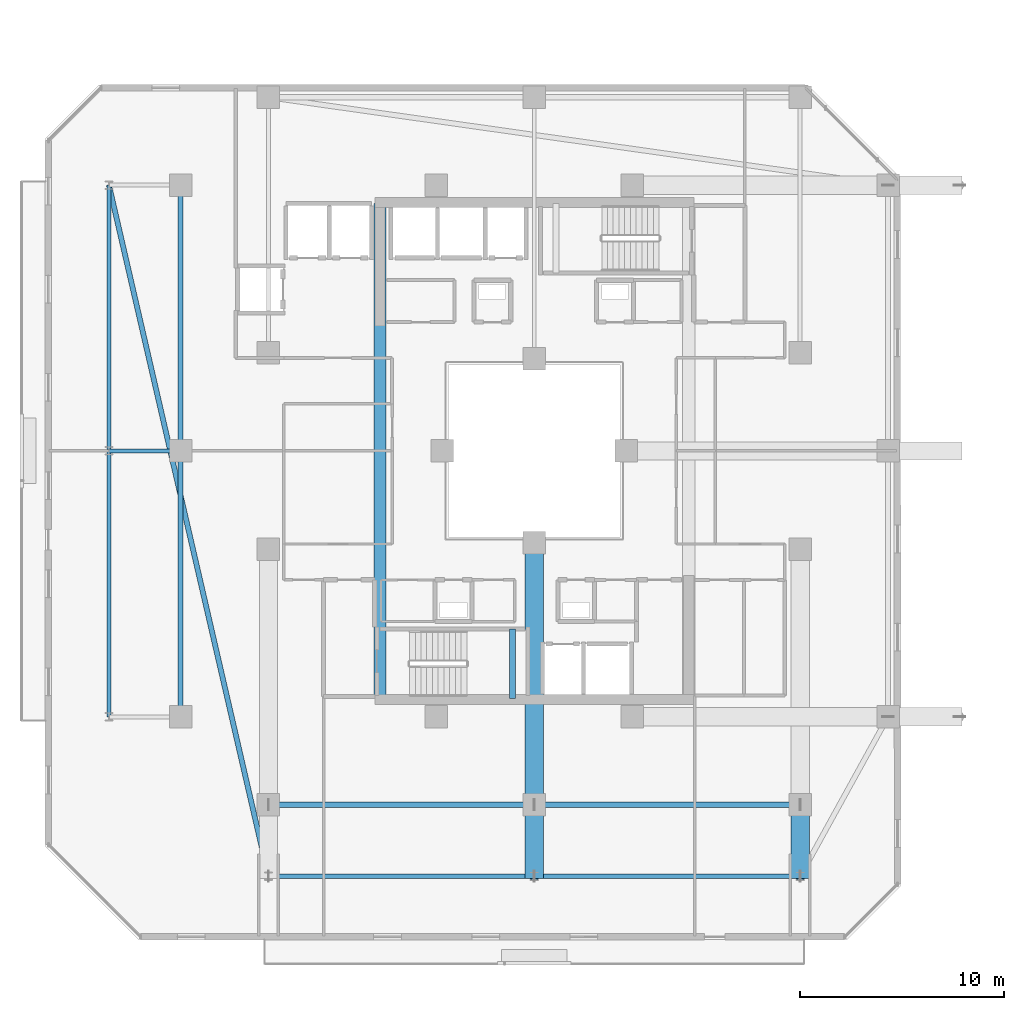
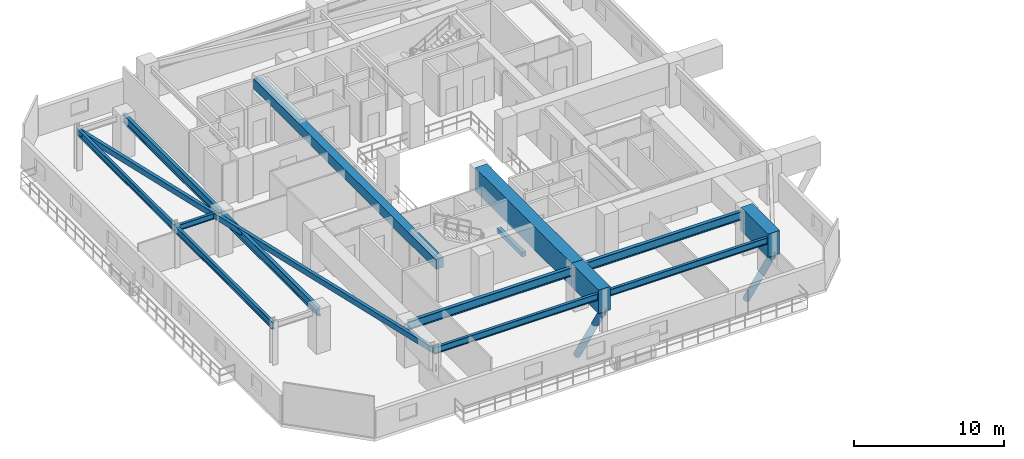
# One storey, part 4 of 35: 15 beams, 2 members.
"""IFC4 building model written with IfcOpenShell, lengths in metres."""

from ifc_helpers import new_model, si_unit, direction, frame, origin, origin_2d, place, context, subcontext, project, spatial, rectangle, hollow_rectangle, hollow_circle, i_section, extrude, material, material_profile, profile_set, type_object, element, save


model = new_model("IFC4")

# Units and contexts
model_context = context("Model", 3, precision=1e-05, world=origin(), true_north=direction((0.0, 1.0)))
body_context = subcontext(model_context, "Body", "Model", "MODEL_VIEW")
ifc_project = project(units=[si_unit("LENGTHUNIT", "METRE"), si_unit("AREAUNIT", "SQUARE_METRE"), si_unit("VOLUMEUNIT", "CUBIC_METRE"), si_unit("PLANEANGLEUNIT", "RADIAN"), si_unit("MASSUNIT", "GRAM", prefix="KILO")], contexts=[model_context])

# Site, building, storey
site_placement = place(None, origin())
site = spatial("IfcSite", under=ifc_project, at=site_placement, CompositionType="ELEMENT")
building_placement = place(site_placement, origin())
building = spatial("IfcBuilding", under=site, at=building_placement, Name="Thornwick Lancets Civic Towers", CompositionType="ELEMENT")
storey_placement = place(building_placement, frame((0.0, 0.0, 145.5)))
storey = spatial("IfcBuildingStorey", under=building, at=storey_placement, Name="L38", CompositionType="ELEMENT", Elevation=145.5)

# Beams
ifc_material_1 = material(Name="Concrete C60/75", Category="concrete")
ifc_material_profile_1 = material_profile(ifc_material_1, rectangle(XDim=0.60009765625, YDim=0.800048828125, at=origin_2d()), Name="RC 600x800")
ifc_profile_set_1 = profile_set([ifc_material_profile_1], Name="Concrete C60/75")
beam_type_1 = type_object("IfcBeamType", Name="BM_COUP_RC800", PredefinedType="BEAM", material=ifc_profile_set_1)
beam_1_placement = place(storey_placement, frame((17.949951171875, 14.89990234375, 2.919921875), z_axis=(0.0, 1.0, 0.0), x_axis=(-1.0, 0.0, 0.0)))
element("IfcBeam", 1, at=beam_1_placement, inside=storey, type_object=beam_type_1, Name="CB-L38-A2", PredefinedType="BEAM", context=body_context, shape_type="SweptSolid", body=[
    extrude(rectangle(XDim=0.60009765625, YDim=0.800048828125, at=origin_2d()), origin(), (0.0, 0.0, 1.0), 24.2001953125),
])
ifc_material_2 = material(Name="Steel S355JR", Category="steel")
ifc_material_profile_2 = material_profile(ifc_material_2, i_section(OverallWidth=0.210693359375, OverallDepth=0.53955078125, WebThickness=0.01171875, FlangeThickness=0.018798828125, FilletRadius=0.0126953125, at=origin_2d()), Name="UKB 533x210x109")
ifc_profile_set_2 = profile_set([ifc_material_profile_2], Name="Steel S355JR")
beam_type_2 = type_object("IfcBeamType", Name="BM_EDGE_533_109", PredefinedType="SPANDREL", material=ifc_profile_set_2)
beam_2_placement = place(storey_placement, frame((12.5, 6.199951171875, 3.05029296875), z_axis=(1.0, 0.0, 0.0), x_axis=(0.0, 1.0, 0.0)))
element("IfcBeam", 2, at=beam_2_placement, inside=storey, type_object=beam_type_2, Name="BM-EDGE-L38-A-S0-1", PredefinedType="SPANDREL", context=body_context, shape_type="SweptSolid", body=[
    extrude(i_section(OverallWidth=0.210693359375, OverallDepth=0.53955078125, WebThickness=0.01171875, FlangeThickness=0.018798828125, FilletRadius=0.0126953125, at=origin_2d()), origin(), (0.0, 0.0, 1.0), 13.0),
])
beam_3_placement = place(storey_placement, frame((25.580078125, 6.199951171875, 3.05029296875), z_axis=(1.0, 0.0, 0.0), x_axis=(0.0, 1.0, 0.0)))
element("IfcBeam", 3, at=beam_3_placement, inside=storey, type_object=beam_type_2, Name="BM-EDGE-L38-A-S0-2", PredefinedType="SPANDREL", context=body_context, shape_type="SweptSolid", body=[
    extrude(i_section(OverallWidth=0.210693359375, OverallDepth=0.53955078125, WebThickness=0.01171875, FlangeThickness=0.018798828125, FilletRadius=0.0126953125, at=origin_2d()), origin(), (0.0, 0.0, 1.0), 12.919921875),
])
beam_4_placement = place(storey_placement, frame((4.699951171875, 14.0, 3.05029296875), z_axis=(0.0, 1.0, 0.0), x_axis=(-1.0, 0.0, 0.0)))
element("IfcBeam", 4, at=beam_4_placement, inside=storey, type_object=beam_type_2, Name="BM-EDGE-L38-A-S3-1", PredefinedType="SPANDREL", context=body_context, shape_type="SweptSolid", body=[
    extrude(i_section(OverallWidth=0.210693359375, OverallDepth=0.53955078125, WebThickness=0.01171875, FlangeThickness=0.018798828125, FilletRadius=0.0126953125, at=origin_2d()), origin(), (0.0, 0.0, 1.0), 13.0),
])
beam_5_placement = place(storey_placement, frame((4.699951171875, 27.080078125, 3.05029296875), z_axis=(0.0, 1.0, 0.0), x_axis=(-1.0, 0.0, 0.0)))
element("IfcBeam", 5, at=beam_5_placement, inside=storey, type_object=beam_type_2, Name="BM-EDGE-L38-A-S3-2", PredefinedType="SPANDREL", context=body_context, shape_type="SweptSolid", body=[
    extrude(i_section(OverallWidth=0.210693359375, OverallDepth=0.53955078125, WebThickness=0.01171875, FlangeThickness=0.018798828125, FilletRadius=0.0126953125, at=origin_2d()), origin(), (0.0, 0.0, 1.0), 12.919921875),
])
ifc_material_profile_3 = material_profile(ifc_material_2, i_section(OverallWidth=0.255859375, OverallDepth=0.69287109375, WebThickness=0.014404296875, FlangeThickness=0.023681640625, FilletRadius=0.01513671875, at=origin_2d()), Name="UKB 686x254x170")
ifc_profile_set_3 = profile_set([ifc_material_profile_3], Name="Steel S355JR")
beam_type_3 = type_object("IfcBeamType", Name="BM_GIRD_686_170", PredefinedType="BEAM", material=ifc_profile_set_3)
beam_6_placement = place(storey_placement, frame((12.5, 9.699951171875, 2.973388671875), z_axis=(1.0, 0.0, 0.0), x_axis=(0.0, 1.0, 0.0)))
element("IfcBeam", 6, at=beam_6_placement, inside=storey, type_object=beam_type_3, Name="BM-SPINE-L38-A-0-1", PredefinedType="BEAM", context=body_context, shape_type="SweptSolid", body=[
    extrude(i_section(OverallWidth=0.255859375, OverallDepth=0.69287109375, WebThickness=0.014404296875, FlangeThickness=0.023681640625, FilletRadius=0.01513671875, at=origin_2d()), origin(), (0.0, 0.0, 1.0), 13.0),
])
beam_7_placement = place(storey_placement, frame((25.580078125, 9.699951171875, 2.973388671875), z_axis=(1.0, 0.0, 0.0), x_axis=(0.0, 1.0, 0.0)))
element("IfcBeam", 7, at=beam_7_placement, inside=storey, type_object=beam_type_3, Name="BM-SPINE-L38-A-1-2", PredefinedType="BEAM", context=body_context, shape_type="SweptSolid", body=[
    extrude(i_section(OverallWidth=0.255859375, OverallDepth=0.69287109375, WebThickness=0.014404296875, FlangeThickness=0.023681640625, FilletRadius=0.01513671875, at=origin_2d()), origin(), (0.0, 0.0, 1.0), 12.919921875),
])
beam_8_placement = place(storey_placement, frame((8.199951171875, 14.0, 2.973388671875), z_axis=(0.0, 1.0, 0.0), x_axis=(-1.0, 0.0, 0.0)))
element("IfcBeam", 8, at=beam_8_placement, inside=storey, type_object=beam_type_3, Name="BM-SPINE-L38-A-9-10", PredefinedType="BEAM", context=body_context, shape_type="SweptSolid", body=[
    extrude(i_section(OverallWidth=0.255859375, OverallDepth=0.69287109375, WebThickness=0.014404296875, FlangeThickness=0.023681640625, FilletRadius=0.01513671875, at=origin_2d()), origin(), (0.0, 0.0, 1.0), 13.0),
])
beam_9_placement = place(storey_placement, frame((8.199951171875, 27.080078125, 2.973388671875), z_axis=(0.0, 1.0, 0.0), x_axis=(-1.0, 0.0, 0.0)))
element("IfcBeam", 9, at=beam_9_placement, inside=storey, type_object=beam_type_3, Name="BM-SPINE-L38-A-10-11", PredefinedType="BEAM", context=body_context, shape_type="SweptSolid", body=[
    extrude(i_section(OverallWidth=0.255859375, OverallDepth=0.69287109375, WebThickness=0.014404296875, FlangeThickness=0.023681640625, FilletRadius=0.01513671875, at=origin_2d()), origin(), (0.0, 0.0, 1.0), 12.919921875),
])
ifc_material_profile_4 = material_profile(ifc_material_2, i_section(OverallWidth=0.19189453125, OverallDepth=0.46337890625, WebThickness=0.010498046875, FlangeThickness=0.017578125, FilletRadius=0.01025390625, at=origin_2d()), Name="UKB 457x191x89")
ifc_profile_set_4 = profile_set([ifc_material_profile_4], Name="Steel S355JR")
beam_type_4 = type_object("IfcBeamType", Name="BM_JOIST_457_89", PredefinedType="JOIST", material=ifc_profile_set_4)
beam_10_placement = place(storey_placement, frame((8.199951171875, 27.0, 3.08837890625), z_axis=(-1.0, 0.0, 0.0), x_axis=(0.0, -1.0, 0.0)))
element("IfcBeam", 10, at=beam_10_placement, inside=storey, type_object=beam_type_4, Name="BM-RAD-L38-A11", PredefinedType="JOIST", context=body_context, shape_type="SweptSolid", body=[
    extrude(i_section(OverallWidth=0.19189453125, OverallDepth=0.46337890625, WebThickness=0.010498046875, FlangeThickness=0.017578125, FilletRadius=0.01025390625, at=origin_2d()), origin(), (0.0, 0.0, 1.0), 3.5),
])
ifc_material_profile_5 = material_profile(ifc_material_2, hollow_rectangle(XDim=0.25, YDim=0.449951171875, WallThickness=0.01611328125, at=origin_2d()), Name="RHS 450x250x16")
ifc_profile_set_5 = profile_set([ifc_material_profile_5], Name="Steel S355JR")
beam_type_5 = type_object("IfcBeamType", Name="BM_RING_RHS450", PredefinedType="BEAM", material=ifc_profile_set_5)
beam_11_placement = place(storey_placement, frame((4.699951171875, 40.0, 3.094970703125), z_axis=(0.224860534737, -0.974390958454, 0.0), x_axis=(0.974390958454, 0.224860534737, 0.0)))
element("IfcBeam", 11, at=beam_11_placement, inside=storey, type_object=beam_type_5, Name="BM-CHAMF-L38-A-C3", PredefinedType="BEAM", context=body_context, shape_type="SweptSolid", body=[
    extrude(hollow_rectangle(XDim=0.25, YDim=0.449951171875, WallThickness=0.01611328125, at=origin_2d()), origin(), (0.0, 0.0, 1.0), 34.6884765625),
])
ifc_material_3 = material(Name="Concrete C40/50", Category="concrete")
ifc_material_profile_6 = material_profile(ifc_material_3, rectangle(XDim=0.300048828125, YDim=0.35009765625, at=origin_2d()), Name="RC 300x350")
ifc_profile_set_6 = profile_set([ifc_material_profile_6], Name="Concrete C40/50")
beam_type_6 = type_object("IfcBeamType", Name="BM_STAIR_LDG", PredefinedType="BEAM", material=ifc_profile_set_6)
beam_12_placement = place(storey_placement, frame((24.43505859375, 14.89990234375, 1.3779296875), z_axis=(0.0, 1.0, 0.0), x_axis=(-1.0, 0.0, 0.0)))
element("IfcBeam", 12, at=beam_12_placement, inside=storey, type_object=beam_type_6, Name="L38 ST-A1 Landing Support Beam 1", PredefinedType="BEAM", context=body_context, shape_type="SweptSolid", body=[
    extrude(rectangle(XDim=0.300048828125, YDim=0.35009765625, at=origin_2d()), origin(), (0.0, 0.0, 1.0), 3.400146484375),
])
ifc_material_profile_7 = material_profile(ifc_material_1, rectangle(XDim=0.89990234375, YDim=1.89990234375, at=origin_2d()), Name="RC 900x1900")
ifc_profile_set_7 = profile_set([ifc_material_profile_7], Name="Concrete C60/75")
beam_type_7 = type_object("IfcBeamType", Name="BM_TR_RC1900", PredefinedType="BEAM", material=ifc_profile_set_7)
beam_13_placement = place(storey_placement, frame((25.5, 22.5, 2.64990234375), z_axis=(0.0, -1.0, 0.0), x_axis=(1.0, 0.0, 0.0)))
element("IfcBeam", 13, at=beam_13_placement, inside=storey, type_object=beam_type_7, Name="TG-BACK-L39-A02", PredefinedType="BEAM", context=body_context, shape_type="SweptSolid", body=[
    extrude(rectangle(XDim=0.89990234375, YDim=1.89990234375, at=origin_2d()), origin(), (0.0, 0.0, 1.0), 12.800048828125),
])
for number, where, z_axis, x_axis, name in (
    (14, (25.5, 9.699951171875, 2.64990234375), (0.0, -1.0, 0.0), (1.0, 0.0, 0.0), "TG-CANT-L39-A02"),
    (15, (38.5, 9.699951171875, 2.64990234375), (0.0, -1.0, 0.0), (1.0, 0.0, 0.0), "TG-CANT-L39-A03"),
):
    element("IfcBeam", number, at=place(storey_placement, frame(where, z_axis=z_axis, x_axis=x_axis)), inside=storey, type_object=beam_type_7, Name=name, PredefinedType="BEAM", context=body_context, shape_type="SweptSolid", body=[
        extrude(rectangle(XDim=0.89990234375, YDim=1.89990234375, at=origin_2d()), origin(), (0.0, 0.0, 1.0), 3.619873046875),
    ])

# Members
ifc_material_4 = material(Name="Steel S460M", Category="steel")
ifc_material_profile_8 = material_profile(ifc_material_4, hollow_circle(Radius=0.25390625, WallThickness=0.02490234375, at=origin_2d()), Name="CHS 508x25")
ifc_profile_set_8 = profile_set([ifc_material_profile_8], Name="Steel S460M")
member_type = type_object("IfcMemberType", Name="MEM_STRUT_CHS508", PredefinedType="STRUT", material=ifc_profile_set_8)
for number, where, z_axis, x_axis, name in (
    (16, (25.5, 9.699951171875, -3.949951171875), (0.0, -0.52127056277, 0.853391469602), (1.0, 0.0, 0.0), "L39 Jenga Transfer Raking Strut A02"),
    (17, (38.5, 9.699951171875, -3.949951171875), (0.0, -0.52127056277, 0.853391469602), (1.0, 0.0, 0.0), "L39 Jenga Transfer Raking Strut A03"),
):
    element("IfcMember", number, at=place(storey_placement, frame(where, z_axis=z_axis, x_axis=x_axis)), inside=storey, type_object=member_type, Name=name, PredefinedType="STRUT", context=body_context, shape_type="SweptSolid", body=[
        extrude(hollow_circle(Radius=0.25390625, WallThickness=0.02490234375, at=origin_2d()), origin(), (0.0, 0.0, 1.0), 6.71435546875),
    ])

save(model, "model.ifc")
